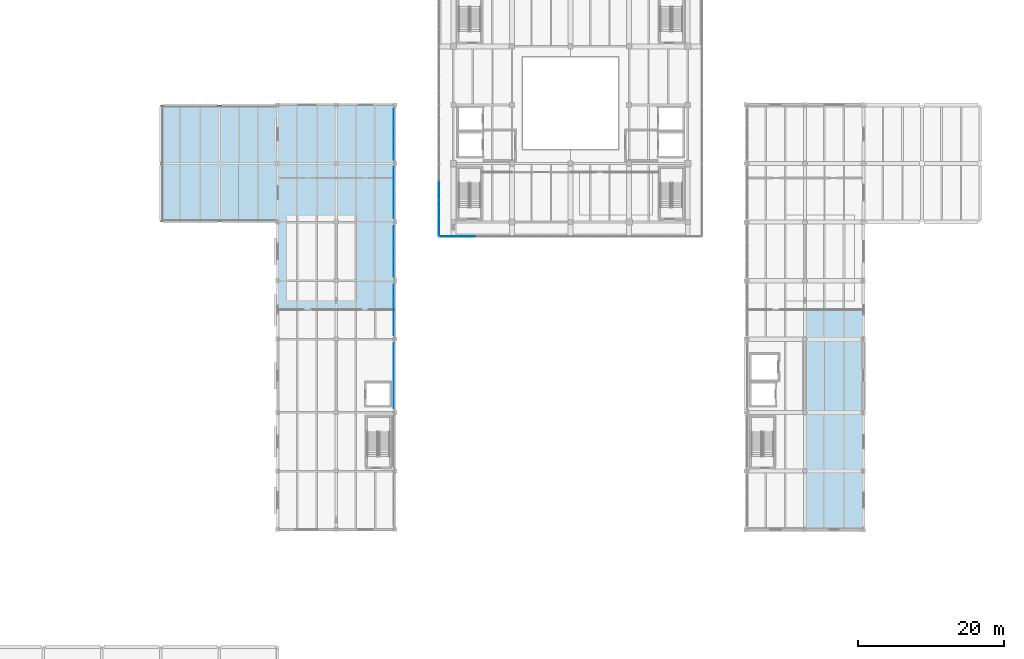
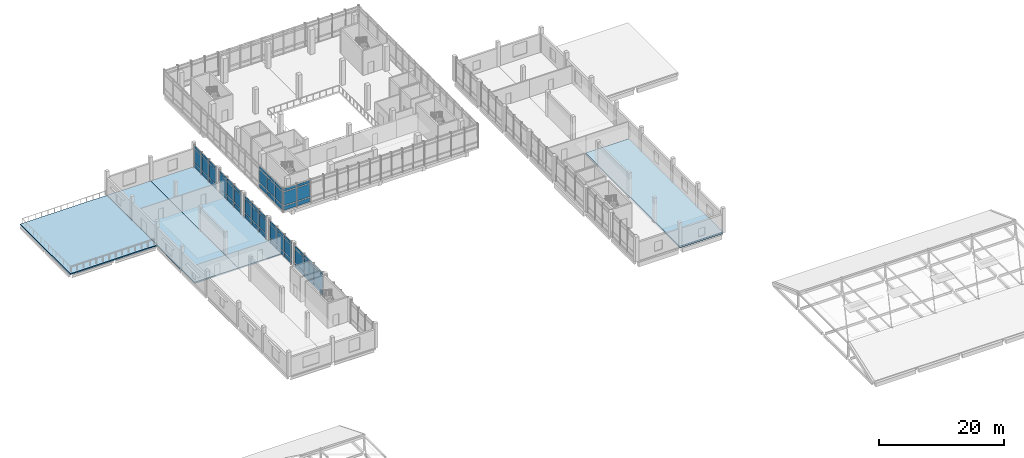
# One storey, part 26 of 47: 60 plates, 4 slabs, 7 elements without a shape of their own.
"""IFC4 building model written with IfcOpenShell, lengths in metres."""

from ifc_helpers import new_model, si_unit, direction, frame, origin, origin_2d, place, context, subcontext, project, spatial, polyline, rectangle, outline, extrude, material, layer, layer_set, type_object, element, aggregate, save


model = new_model("IFC4")

# Units and contexts
model_context = context("Model", 3, precision=1e-05, world=origin(), true_north=direction((0.0, 1.0)))
body_context = subcontext(model_context, "Body", "Model", "MODEL_VIEW")
ifc_project = project(units=[si_unit("LENGTHUNIT", "METRE"), si_unit("AREAUNIT", "SQUARE_METRE"), si_unit("VOLUMEUNIT", "CUBIC_METRE"), si_unit("PLANEANGLEUNIT", "RADIAN"), si_unit("MASSUNIT", "GRAM", prefix="KILO")], contexts=[model_context])

# Site, building, storey
site_placement = place(None, origin())
site = spatial("IfcSite", under=ifc_project, at=site_placement, CompositionType="ELEMENT")
building_placement = place(site_placement, origin())
building = spatial("IfcBuilding", under=site, at=building_placement, Name="Pecanmere Concourse Central Library", CompositionType="ELEMENT")
storey_placement = place(building_placement, frame((0.0, 0.0, 15.300048828125)))
storey = spatial("IfcBuildingStorey", under=building, at=storey_placement, Name="L04", CompositionType="ELEMENT", Elevation=15.300048828125)

# Curtain wall, plates
ifc_material_1 = material(Name="Anodized bronze aluminium alloy 6063-T6", Category="aluminium")
curtain_wall_type_1 = type_object("IfcCurtainWallType", Name="CW_PLUMB_BANDED", PredefinedType="USERDEFINED", material=ifc_material_1)
curtain_wall_1_placement = place(storey_placement, origin())
curtain_wall_1 = element("IfcCurtainWall", 1, at=curtain_wall_1_placement, inside=storey, type_object=curtain_wall_type_1, Name="Unitised Curtain Wall CW-02 L04-042", ObjectType="UNITISED CURTAIN WALL", PredefinedType="USERDEFINED")
ifc_material_2 = material(Name="White ceramic-fritted insulated spandrel glazing", Category="glass")
ifc_layer_1 = layer(ifc_material_2, 0.053955078125, Name="CWP_SPN_54")
ifc_layer_set_1 = layer_set([ifc_layer_1], Name="White ceramic-fritted insulated spandrel glazing")
plate_type_1 = type_object("IfcPlateType", Name="CWP_SPN_54", PredefinedType="CURTAIN_PANEL", material=ifc_layer_set_1)
plate_1_placement = place(storey_placement, frame((71.334228515625, 88.03857421875, 0.159912109375), z_axis=(0.0, 0.0, 1.0), x_axis=(1.0, 0.0, 0.0)))
plate_1 = element("IfcPlate", 2, at=plate_1_placement, type_object=plate_type_1, Name="CW-02 Spandrel Panel 1.1", PredefinedType="CURTAIN_PANEL", context=body_context, shape_type="SweptSolid", body=[
    extrude(rectangle(XDim=2.381591796875, YDim=0.035888671875, at=origin_2d()), origin(), (0.0, 0.0, 1.0), 0.81005859375),
])
plate_2_placement = place(storey_placement, frame((73.797119140625, 88.03857421875, 0.159912109375), z_axis=(0.0, 0.0, 1.0), x_axis=(1.0, 0.0, 0.0)))
plate_2 = element("IfcPlate", 3, at=plate_2_placement, type_object=plate_type_1, Name="CW-02 Spandrel Panel 2.1", PredefinedType="CURTAIN_PANEL", context=body_context, shape_type="SweptSolid", body=[
    extrude(rectangle(XDim=2.4140625, YDim=0.035888671875, at=origin_2d()), origin(), (0.0, 0.0, 1.0), 0.81005859375),
])

curtain_wall_2_placement = place(storey_placement, origin())
curtain_wall_2 = element("IfcCurtainWall", 4, at=curtain_wall_2_placement, inside=storey, type_object=curtain_wall_type_1, Name="Unitised Curtain Wall CW-02 L04-053", ObjectType="UNITISED CURTAIN WALL", PredefinedType="USERDEFINED")
plate_3_placement = place(storey_placement, frame((70.03857421875, 94.2763671875, 0.159912109375), z_axis=(0.0, 0.0, 1.0), x_axis=(0.0, -1.0, 0.0)))
plate_3 = element("IfcPlate", 5, at=plate_3_placement, type_object=plate_type_1, Name="CW-02 Spandrel Panel 2.1", PredefinedType="CURTAIN_PANEL", context=body_context, shape_type="SweptSolid", body=[
    extrude(rectangle(XDim=2.4140625, YDim=0.035888671875, at=origin_2d()), origin(), (0.0, 0.0, 1.0), 0.81005859375),
])
plate_4_placement = place(storey_placement, frame((70.03857421875, 91.797119140625, 0.159912109375), z_axis=(0.0, 0.0, 1.0), x_axis=(0.0, -1.0, 0.0)))
plate_4 = element("IfcPlate", 6, at=plate_4_placement, type_object=plate_type_1, Name="CW-02 Spandrel Panel 3.1", PredefinedType="CURTAIN_PANEL", context=body_context, shape_type="SweptSolid", body=[
    extrude(rectangle(XDim=2.4140625, YDim=0.035888671875, at=origin_2d()), origin(), (0.0, 0.0, 1.0), 0.81005859375),
])
plate_5_placement = place(storey_placement, frame((70.03857421875, 89.334228515625, 0.159912109375), z_axis=(0.0, 0.0, 1.0), x_axis=(0.0, -1.0, 0.0)))
plate_5 = element("IfcPlate", 7, at=plate_5_placement, type_object=plate_type_1, Name="CW-02 Spandrel Panel 4.1", PredefinedType="CURTAIN_PANEL", context=body_context, shape_type="SweptSolid", body=[
    extrude(rectangle(XDim=2.381591796875, YDim=0.035888671875, at=origin_2d()), origin(), (0.0, 0.0, 1.0), 0.81005859375),
])

ifc_material_3 = material(Name="Clear anodized aluminium alloy 6063-T6", Category="aluminium")
curtain_wall_type_2 = type_object("IfcCurtainWallType", Name="CW_CLOISTER_GLAZ", PredefinedType="USERDEFINED", material=ifc_material_3)
curtain_wall_3_placement = place(storey_placement, origin())
curtain_wall_3 = element("IfcCurtainWall", 8, at=curtain_wall_3_placement, inside=storey, type_object=curtain_wall_type_2, Name="Unitised Curtain Wall CW-04 L04-144", ObjectType="UNITISED CURTAIN WALL", PredefinedType="USERDEFINED")
plate_6_placement = place(storey_placement, frame((63.85009765625, 66.001708984375, 0.139892578125), z_axis=(0.0, 0.0, 1.0), x_axis=(0.0, 1.0, 0.0)))
plate_6 = element("IfcPlate", 9, at=plate_6_placement, type_object=plate_type_1, Name="CW-04 Spandrel Panel 1.1", PredefinedType="CURTAIN_PANEL", context=body_context, shape_type="SweptSolid", body=[
    extrude(rectangle(XDim=2.92333984375, YDim=0.035888671875, at=origin_2d()), origin(), (0.0, 0.0, 1.0), 0.7900390625),
])
plate_7_placement = place(storey_placement, frame((63.85009765625, 69.0, 0.139892578125), z_axis=(0.0, 0.0, 1.0), x_axis=(0.0, 1.0, 0.0)))
plate_7 = element("IfcPlate", 10, at=plate_7_placement, type_object=plate_type_1, Name="CW-04 Spandrel Panel 2.1", PredefinedType="CURTAIN_PANEL", context=body_context, shape_type="SweptSolid", body=[
    extrude(rectangle(XDim=2.953369140625, YDim=0.035888671875, at=origin_2d()), origin(), (0.0, 0.0, 1.0), 0.7900390625),
])
plate_8_placement = place(storey_placement, frame((63.85009765625, 71.998291015625, 0.139892578125), z_axis=(0.0, 0.0, 1.0), x_axis=(0.0, 1.0, 0.0)))
plate_8 = element("IfcPlate", 11, at=plate_8_placement, type_object=plate_type_1, Name="CW-04 Spandrel Panel 3.1", PredefinedType="CURTAIN_PANEL", context=body_context, shape_type="SweptSolid", body=[
    extrude(rectangle(XDim=2.92333984375, YDim=0.035888671875, at=origin_2d()), origin(), (0.0, 0.0, 1.0), 0.7900390625),
])

curtain_wall_4_placement = place(storey_placement, origin())
curtain_wall_4 = element("IfcCurtainWall", 12, at=curtain_wall_4_placement, inside=storey, type_object=curtain_wall_type_2, Name="Unitised Curtain Wall CW-04 L04-146", ObjectType="UNITISED CURTAIN WALL", PredefinedType="USERDEFINED")
plate_9_placement = place(storey_placement, frame((63.85009765625, 75.668212890625, 0.139892578125), z_axis=(0.0, 0.0, 1.0), x_axis=(0.0, 1.0, 0.0)))
plate_9 = element("IfcPlate", 13, at=plate_9_placement, type_object=plate_type_1, Name="CW-04 Spandrel Panel 1.1", PredefinedType="CURTAIN_PANEL", context=body_context, shape_type="SweptSolid", body=[
    extrude(rectangle(XDim=2.256591796875, YDim=0.035888671875, at=origin_2d()), origin(), (0.0, 0.0, 1.0), 0.7900390625),
])
plate_10_placement = place(storey_placement, frame((63.85009765625, 78.0, 0.139892578125), z_axis=(0.0, 0.0, 1.0), x_axis=(0.0, 1.0, 0.0)))
plate_10 = element("IfcPlate", 14, at=plate_10_placement, type_object=plate_type_1, Name="CW-04 Spandrel Panel 2.1", PredefinedType="CURTAIN_PANEL", context=body_context, shape_type="SweptSolid", body=[
    extrude(rectangle(XDim=2.28662109375, YDim=0.035888671875, at=origin_2d()), origin(), (0.0, 0.0, 1.0), 0.7900390625),
])
plate_11_placement = place(storey_placement, frame((63.85009765625, 80.331787109375, 0.139892578125), z_axis=(0.0, 0.0, 1.0), x_axis=(0.0, 1.0, 0.0)))
plate_11 = element("IfcPlate", 15, at=plate_11_placement, type_object=plate_type_1, Name="CW-04 Spandrel Panel 3.1", PredefinedType="CURTAIN_PANEL", context=body_context, shape_type="SweptSolid", body=[
    extrude(rectangle(XDim=2.256591796875, YDim=0.035888671875, at=origin_2d()), origin(), (0.0, 0.0, 1.0), 0.7900390625),
])

curtain_wall_5_placement = place(storey_placement, origin())
curtain_wall_5 = element("IfcCurtainWall", 16, at=curtain_wall_5_placement, inside=storey, type_object=curtain_wall_type_2, Name="Unitised Curtain Wall CW-04 L04-148", ObjectType="UNITISED CURTAIN WALL", PredefinedType="USERDEFINED")
plate_12_placement = place(storey_placement, frame((63.85009765625, 83.668212890625, 0.139892578125), z_axis=(0.0, 0.0, 1.0), x_axis=(0.0, 1.0, 0.0)))
plate_12 = element("IfcPlate", 17, at=plate_12_placement, type_object=plate_type_1, Name="CW-04 Spandrel Panel 1.1", PredefinedType="CURTAIN_PANEL", context=body_context, shape_type="SweptSolid", body=[
    extrude(rectangle(XDim=2.256591796875, YDim=0.035888671875, at=origin_2d()), origin(), (0.0, 0.0, 1.0), 0.7900390625),
])
plate_13_placement = place(storey_placement, frame((63.85009765625, 86.0, 0.139892578125), z_axis=(0.0, 0.0, 1.0), x_axis=(0.0, 1.0, 0.0)))
plate_13 = element("IfcPlate", 18, at=plate_13_placement, type_object=plate_type_1, Name="CW-04 Spandrel Panel 2.1", PredefinedType="CURTAIN_PANEL", context=body_context, shape_type="SweptSolid", body=[
    extrude(rectangle(XDim=2.28662109375, YDim=0.035888671875, at=origin_2d()), origin(), (0.0, 0.0, 1.0), 0.7900390625),
])
plate_14_placement = place(storey_placement, frame((63.85009765625, 88.331787109375, 0.139892578125), z_axis=(0.0, 0.0, 1.0), x_axis=(0.0, 1.0, 0.0)))
plate_14 = element("IfcPlate", 19, at=plate_14_placement, type_object=plate_type_1, Name="CW-04 Spandrel Panel 3.1", PredefinedType="CURTAIN_PANEL", context=body_context, shape_type="SweptSolid", body=[
    extrude(rectangle(XDim=2.256591796875, YDim=0.035888671875, at=origin_2d()), origin(), (0.0, 0.0, 1.0), 0.7900390625),
])

curtain_wall_6_placement = place(storey_placement, origin())
curtain_wall_6 = element("IfcCurtainWall", 20, at=curtain_wall_6_placement, inside=storey, type_object=curtain_wall_type_2, Name="Unitised Curtain Wall CW-04 L04-150", ObjectType="UNITISED CURTAIN WALL", PredefinedType="USERDEFINED")
plate_15_placement = place(storey_placement, frame((63.85009765625, 91.668212890625, 0.139892578125), z_axis=(0.0, 0.0, 1.0), x_axis=(0.0, 1.0, 0.0)))
plate_15 = element("IfcPlate", 21, at=plate_15_placement, type_object=plate_type_1, Name="CW-04 Spandrel Panel 1.1", PredefinedType="CURTAIN_PANEL", context=body_context, shape_type="SweptSolid", body=[
    extrude(rectangle(XDim=2.256591796875, YDim=0.035888671875, at=origin_2d()), origin(), (0.0, 0.0, 1.0), 0.7900390625),
])
plate_16_placement = place(storey_placement, frame((63.85009765625, 94.0, 0.139892578125), z_axis=(0.0, 0.0, 1.0), x_axis=(0.0, 1.0, 0.0)))
plate_16 = element("IfcPlate", 22, at=plate_16_placement, type_object=plate_type_1, Name="CW-04 Spandrel Panel 2.1", PredefinedType="CURTAIN_PANEL", context=body_context, shape_type="SweptSolid", body=[
    extrude(rectangle(XDim=2.28662109375, YDim=0.035888671875, at=origin_2d()), origin(), (0.0, 0.0, 1.0), 0.7900390625),
])
plate_17_placement = place(storey_placement, frame((63.85009765625, 96.331787109375, 0.139892578125), z_axis=(0.0, 0.0, 1.0), x_axis=(0.0, 1.0, 0.0)))
plate_17 = element("IfcPlate", 23, at=plate_17_placement, type_object=plate_type_1, Name="CW-04 Spandrel Panel 3.1", PredefinedType="CURTAIN_PANEL", context=body_context, shape_type="SweptSolid", body=[
    extrude(rectangle(XDim=2.256591796875, YDim=0.035888671875, at=origin_2d()), origin(), (0.0, 0.0, 1.0), 0.7900390625),
])

curtain_wall_7_placement = place(storey_placement, origin())
curtain_wall_7 = element("IfcCurtainWall", 24, at=curtain_wall_7_placement, inside=storey, type_object=curtain_wall_type_2, Name="Unitised Curtain Wall CW-04 L04-152", ObjectType="UNITISED CURTAIN WALL", PredefinedType="USERDEFINED")
plate_18_placement = place(storey_placement, frame((63.85009765625, 99.668212890625, 0.139892578125), z_axis=(0.0, 0.0, 1.0), x_axis=(0.0, 1.0, 0.0)))
plate_18 = element("IfcPlate", 25, at=plate_18_placement, type_object=plate_type_1, Name="CW-04 Spandrel Panel 1.1", PredefinedType="CURTAIN_PANEL", context=body_context, shape_type="SweptSolid", body=[
    extrude(rectangle(XDim=2.256591796875, YDim=0.035888671875, at=origin_2d()), origin(), (0.0, 0.0, 1.0), 0.7900390625),
])
plate_19_placement = place(storey_placement, frame((63.85009765625, 102.0, 0.139892578125), z_axis=(0.0, 0.0, 1.0), x_axis=(0.0, 1.0, 0.0)))
plate_19 = element("IfcPlate", 26, at=plate_19_placement, type_object=plate_type_1, Name="CW-04 Spandrel Panel 2.1", PredefinedType="CURTAIN_PANEL", context=body_context, shape_type="SweptSolid", body=[
    extrude(rectangle(XDim=2.28662109375, YDim=0.035888671875, at=origin_2d()), origin(), (0.0, 0.0, 1.0), 0.7900390625),
])
plate_20_placement = place(storey_placement, frame((63.85009765625, 104.331787109375, 0.139892578125), z_axis=(0.0, 0.0, 1.0), x_axis=(0.0, 1.0, 0.0)))
plate_20 = element("IfcPlate", 27, at=plate_20_placement, type_object=plate_type_1, Name="CW-04 Spandrel Panel 3.1", PredefinedType="CURTAIN_PANEL", context=body_context, shape_type="SweptSolid", body=[
    extrude(rectangle(XDim=2.256591796875, YDim=0.035888671875, at=origin_2d()), origin(), (0.0, 0.0, 1.0), 0.7900390625),
])

# Plate
ifc_material_4 = material(Name="Low-iron clear insulated glazing", Category="glass")
ifc_layer_2 = layer(ifc_material_4, 0.035888671875, Name="CWP_VIS_36")
ifc_layer_set_2 = layer_set([ifc_layer_2], Name="Low-iron clear insulated glazing")
plate_type_2 = type_object("IfcPlateType", Name="CWP_VIS_36", PredefinedType="CURTAIN_PANEL", material=ifc_layer_set_2)
plate_21_placement = place(storey_placement, frame((71.334228515625, 88.03857421875, 1.1298828125), z_axis=(0.0, 0.0, 1.0), x_axis=(1.0, 0.0, 0.0)))
plate_21 = element("IfcPlate", 28, at=plate_21_placement, type_object=plate_type_2, Name="CW-02 Vision Panel 1.2", PredefinedType="CURTAIN_PANEL", context=body_context, shape_type="SweptSolid", body=[
    extrude(rectangle(XDim=2.381591796875, YDim=0.035888671875, at=origin_2d()), origin(), (0.0, 0.0, 1.0), 2.56005859375),
])

plate_22_placement = place(storey_placement, frame((71.334228515625, 88.03857421875, 3.85009765625), z_axis=(0.0, 0.0, 1.0), x_axis=(1.0, 0.0, 0.0)))
plate_22 = element("IfcPlate", 29, at=plate_22_placement, type_object=plate_type_2, Name="CW-02 Vision Panel 1.3", PredefinedType="CURTAIN_PANEL", context=body_context, shape_type="SweptSolid", body=[
    extrude(rectangle(XDim=2.381591796875, YDim=0.035888671875, at=origin_2d()), origin(), (0.0, 0.0, 1.0), 0.510009765625),
])

plate_23_placement = place(storey_placement, frame((73.797119140625, 88.03857421875, 1.1298828125), z_axis=(0.0, 0.0, 1.0), x_axis=(1.0, 0.0, 0.0)))
plate_23 = element("IfcPlate", 30, at=plate_23_placement, type_object=plate_type_2, Name="CW-02 Vision Panel 2.2", PredefinedType="CURTAIN_PANEL", context=body_context, shape_type="SweptSolid", body=[
    extrude(rectangle(XDim=2.4140625, YDim=0.035888671875, at=origin_2d()), origin(), (0.0, 0.0, 1.0), 2.56005859375),
])

plate_24_placement = place(storey_placement, frame((73.797119140625, 88.03857421875, 3.85009765625), z_axis=(0.0, 0.0, 1.0), x_axis=(1.0, 0.0, 0.0)))
plate_24 = element("IfcPlate", 31, at=plate_24_placement, type_object=plate_type_2, Name="CW-02 Vision Panel 2.3", PredefinedType="CURTAIN_PANEL", context=body_context, shape_type="SweptSolid", body=[
    extrude(rectangle(XDim=2.4140625, YDim=0.035888671875, at=origin_2d()), origin(), (0.0, 0.0, 1.0), 0.510009765625),
])

aggregate(curtain_wall_1, [plate_1, plate_21, plate_22, plate_2, plate_23, plate_24])

plate_25_placement = place(storey_placement, frame((70.03857421875, 94.2763671875, 1.1298828125), z_axis=(0.0, 0.0, 1.0), x_axis=(0.0, -1.0, 0.0)))
plate_25 = element("IfcPlate", 32, at=plate_25_placement, type_object=plate_type_2, Name="CW-02 Vision Panel 2.2", PredefinedType="CURTAIN_PANEL", context=body_context, shape_type="SweptSolid", body=[
    extrude(rectangle(XDim=2.4140625, YDim=0.035888671875, at=origin_2d()), origin(), (0.0, 0.0, 1.0), 2.56005859375),
])

plate_26_placement = place(storey_placement, frame((70.03857421875, 94.2763671875, 3.85009765625), z_axis=(0.0, 0.0, 1.0), x_axis=(0.0, -1.0, 0.0)))
plate_26 = element("IfcPlate", 33, at=plate_26_placement, type_object=plate_type_2, Name="CW-02 Vision Panel 2.3", PredefinedType="CURTAIN_PANEL", context=body_context, shape_type="SweptSolid", body=[
    extrude(rectangle(XDim=2.4140625, YDim=0.035888671875, at=origin_2d()), origin(), (0.0, 0.0, 1.0), 0.510009765625),
])

plate_27_placement = place(storey_placement, frame((70.03857421875, 91.797119140625, 1.1298828125), z_axis=(0.0, 0.0, 1.0), x_axis=(0.0, -1.0, 0.0)))
plate_27 = element("IfcPlate", 34, at=plate_27_placement, type_object=plate_type_2, Name="CW-02 Vision Panel 3.2", PredefinedType="CURTAIN_PANEL", context=body_context, shape_type="SweptSolid", body=[
    extrude(rectangle(XDim=2.4140625, YDim=0.035888671875, at=origin_2d()), origin(), (0.0, 0.0, 1.0), 2.56005859375),
])

plate_28_placement = place(storey_placement, frame((70.03857421875, 91.797119140625, 3.85009765625), z_axis=(0.0, 0.0, 1.0), x_axis=(0.0, -1.0, 0.0)))
plate_28 = element("IfcPlate", 35, at=plate_28_placement, type_object=plate_type_2, Name="CW-02 Vision Panel 3.3", PredefinedType="CURTAIN_PANEL", context=body_context, shape_type="SweptSolid", body=[
    extrude(rectangle(XDim=2.4140625, YDim=0.035888671875, at=origin_2d()), origin(), (0.0, 0.0, 1.0), 0.510009765625),
])

plate_29_placement = place(storey_placement, frame((70.03857421875, 89.334228515625, 1.1298828125), z_axis=(0.0, 0.0, 1.0), x_axis=(0.0, -1.0, 0.0)))
plate_29 = element("IfcPlate", 36, at=plate_29_placement, type_object=plate_type_2, Name="CW-02 Vision Panel 4.2", PredefinedType="CURTAIN_PANEL", context=body_context, shape_type="SweptSolid", body=[
    extrude(rectangle(XDim=2.381591796875, YDim=0.035888671875, at=origin_2d()), origin(), (0.0, 0.0, 1.0), 2.56005859375),
])

plate_30_placement = place(storey_placement, frame((70.03857421875, 89.334228515625, 3.85009765625), z_axis=(0.0, 0.0, 1.0), x_axis=(0.0, -1.0, 0.0)))
plate_30 = element("IfcPlate", 37, at=plate_30_placement, type_object=plate_type_2, Name="CW-02 Vision Panel 4.3", PredefinedType="CURTAIN_PANEL", context=body_context, shape_type="SweptSolid", body=[
    extrude(rectangle(XDim=2.381591796875, YDim=0.035888671875, at=origin_2d()), origin(), (0.0, 0.0, 1.0), 0.510009765625),
])

aggregate(curtain_wall_2, [plate_3, plate_25, plate_26, plate_4, plate_27, plate_28, plate_5, plate_29, plate_30])

plate_31_placement = place(storey_placement, frame((63.85009765625, 66.001708984375, 1.06982421875), z_axis=(0.0, 0.0, 1.0), x_axis=(0.0, 1.0, 0.0)))
plate_31 = element("IfcPlate", 38, at=plate_31_placement, type_object=plate_type_2, Name="CW-04 Vision Panel 1.2", PredefinedType="CURTAIN_PANEL", context=body_context, shape_type="SweptSolid", body=[
    extrude(rectangle(XDim=2.92333984375, YDim=0.035888671875, at=origin_2d()), origin(), (0.0, 0.0, 1.0), 2.679931640625),
])

plate_32_placement = place(storey_placement, frame((63.85009765625, 66.001708984375, 3.89013671875), z_axis=(0.0, 0.0, 1.0), x_axis=(0.0, 1.0, 0.0)))
plate_32 = element("IfcPlate", 39, at=plate_32_placement, type_object=plate_type_2, Name="CW-04 Vision Panel 1.3", PredefinedType="CURTAIN_PANEL", context=body_context, shape_type="SweptSolid", body=[
    extrude(rectangle(XDim=2.92333984375, YDim=0.035888671875, at=origin_2d()), origin(), (0.0, 0.0, 1.0), 0.489990234375),
])

plate_33_placement = place(storey_placement, frame((63.85009765625, 69.0, 1.06982421875), z_axis=(0.0, 0.0, 1.0), x_axis=(0.0, 1.0, 0.0)))
plate_33 = element("IfcPlate", 40, at=plate_33_placement, type_object=plate_type_2, Name="CW-04 Vision Panel 2.2", PredefinedType="CURTAIN_PANEL", context=body_context, shape_type="SweptSolid", body=[
    extrude(rectangle(XDim=2.953369140625, YDim=0.035888671875, at=origin_2d()), origin(), (0.0, 0.0, 1.0), 2.679931640625),
])

plate_34_placement = place(storey_placement, frame((63.85009765625, 69.0, 3.89013671875), z_axis=(0.0, 0.0, 1.0), x_axis=(0.0, 1.0, 0.0)))
plate_34 = element("IfcPlate", 41, at=plate_34_placement, type_object=plate_type_2, Name="CW-04 Vision Panel 2.3", PredefinedType="CURTAIN_PANEL", context=body_context, shape_type="SweptSolid", body=[
    extrude(rectangle(XDim=2.953369140625, YDim=0.035888671875, at=origin_2d()), origin(), (0.0, 0.0, 1.0), 0.489990234375),
])

plate_35_placement = place(storey_placement, frame((63.85009765625, 71.998291015625, 1.06982421875), z_axis=(0.0, 0.0, 1.0), x_axis=(0.0, 1.0, 0.0)))
plate_35 = element("IfcPlate", 42, at=plate_35_placement, type_object=plate_type_2, Name="CW-04 Vision Panel 3.2", PredefinedType="CURTAIN_PANEL", context=body_context, shape_type="SweptSolid", body=[
    extrude(rectangle(XDim=2.92333984375, YDim=0.035888671875, at=origin_2d()), origin(), (0.0, 0.0, 1.0), 2.679931640625),
])

plate_36_placement = place(storey_placement, frame((63.85009765625, 71.998291015625, 3.89013671875), z_axis=(0.0, 0.0, 1.0), x_axis=(0.0, 1.0, 0.0)))
plate_36 = element("IfcPlate", 43, at=plate_36_placement, type_object=plate_type_2, Name="CW-04 Vision Panel 3.3", PredefinedType="CURTAIN_PANEL", context=body_context, shape_type="SweptSolid", body=[
    extrude(rectangle(XDim=2.92333984375, YDim=0.035888671875, at=origin_2d()), origin(), (0.0, 0.0, 1.0), 0.489990234375),
])

aggregate(curtain_wall_3, [plate_6, plate_31, plate_32, plate_7, plate_33, plate_34, plate_8, plate_35, plate_36])

plate_37_placement = place(storey_placement, frame((63.85009765625, 75.668212890625, 1.06982421875), z_axis=(0.0, 0.0, 1.0), x_axis=(0.0, 1.0, 0.0)))
plate_37 = element("IfcPlate", 44, at=plate_37_placement, type_object=plate_type_2, Name="CW-04 Vision Panel 1.2", PredefinedType="CURTAIN_PANEL", context=body_context, shape_type="SweptSolid", body=[
    extrude(rectangle(XDim=2.256591796875, YDim=0.035888671875, at=origin_2d()), origin(), (0.0, 0.0, 1.0), 2.679931640625),
])

plate_38_placement = place(storey_placement, frame((63.85009765625, 75.668212890625, 3.89013671875), z_axis=(0.0, 0.0, 1.0), x_axis=(0.0, 1.0, 0.0)))
plate_38 = element("IfcPlate", 45, at=plate_38_placement, type_object=plate_type_2, Name="CW-04 Vision Panel 1.3", PredefinedType="CURTAIN_PANEL", context=body_context, shape_type="SweptSolid", body=[
    extrude(rectangle(XDim=2.256591796875, YDim=0.035888671875, at=origin_2d()), origin(), (0.0, 0.0, 1.0), 0.489990234375),
])

plate_39_placement = place(storey_placement, frame((63.85009765625, 78.0, 1.06982421875), z_axis=(0.0, 0.0, 1.0), x_axis=(0.0, 1.0, 0.0)))
plate_39 = element("IfcPlate", 46, at=plate_39_placement, type_object=plate_type_2, Name="CW-04 Vision Panel 2.2", PredefinedType="CURTAIN_PANEL", context=body_context, shape_type="SweptSolid", body=[
    extrude(rectangle(XDim=2.28662109375, YDim=0.035888671875, at=origin_2d()), origin(), (0.0, 0.0, 1.0), 2.679931640625),
])

plate_40_placement = place(storey_placement, frame((63.85009765625, 78.0, 3.89013671875), z_axis=(0.0, 0.0, 1.0), x_axis=(0.0, 1.0, 0.0)))
plate_40 = element("IfcPlate", 47, at=plate_40_placement, type_object=plate_type_2, Name="CW-04 Vision Panel 2.3", PredefinedType="CURTAIN_PANEL", context=body_context, shape_type="SweptSolid", body=[
    extrude(rectangle(XDim=2.28662109375, YDim=0.035888671875, at=origin_2d()), origin(), (0.0, 0.0, 1.0), 0.489990234375),
])

plate_41_placement = place(storey_placement, frame((63.85009765625, 80.331787109375, 1.06982421875), z_axis=(0.0, 0.0, 1.0), x_axis=(0.0, 1.0, 0.0)))
plate_41 = element("IfcPlate", 48, at=plate_41_placement, type_object=plate_type_2, Name="CW-04 Vision Panel 3.2", PredefinedType="CURTAIN_PANEL", context=body_context, shape_type="SweptSolid", body=[
    extrude(rectangle(XDim=2.256591796875, YDim=0.035888671875, at=origin_2d()), origin(), (0.0, 0.0, 1.0), 2.679931640625),
])

plate_42_placement = place(storey_placement, frame((63.85009765625, 80.331787109375, 3.89013671875), z_axis=(0.0, 0.0, 1.0), x_axis=(0.0, 1.0, 0.0)))
plate_42 = element("IfcPlate", 49, at=plate_42_placement, type_object=plate_type_2, Name="CW-04 Vision Panel 3.3", PredefinedType="CURTAIN_PANEL", context=body_context, shape_type="SweptSolid", body=[
    extrude(rectangle(XDim=2.256591796875, YDim=0.035888671875, at=origin_2d()), origin(), (0.0, 0.0, 1.0), 0.489990234375),
])

aggregate(curtain_wall_4, [plate_9, plate_37, plate_38, plate_10, plate_39, plate_40, plate_11, plate_41, plate_42])

plate_43_placement = place(storey_placement, frame((63.85009765625, 83.668212890625, 1.06982421875), z_axis=(0.0, 0.0, 1.0), x_axis=(0.0, 1.0, 0.0)))
plate_43 = element("IfcPlate", 50, at=plate_43_placement, type_object=plate_type_2, Name="CW-04 Vision Panel 1.2", PredefinedType="CURTAIN_PANEL", context=body_context, shape_type="SweptSolid", body=[
    extrude(rectangle(XDim=2.256591796875, YDim=0.035888671875, at=origin_2d()), origin(), (0.0, 0.0, 1.0), 2.679931640625),
])

plate_44_placement = place(storey_placement, frame((63.85009765625, 83.668212890625, 3.89013671875), z_axis=(0.0, 0.0, 1.0), x_axis=(0.0, 1.0, 0.0)))
plate_44 = element("IfcPlate", 51, at=plate_44_placement, type_object=plate_type_2, Name="CW-04 Vision Panel 1.3", PredefinedType="CURTAIN_PANEL", context=body_context, shape_type="SweptSolid", body=[
    extrude(rectangle(XDim=2.256591796875, YDim=0.035888671875, at=origin_2d()), origin(), (0.0, 0.0, 1.0), 0.489990234375),
])

plate_45_placement = place(storey_placement, frame((63.85009765625, 86.0, 1.06982421875), z_axis=(0.0, 0.0, 1.0), x_axis=(0.0, 1.0, 0.0)))
plate_45 = element("IfcPlate", 52, at=plate_45_placement, type_object=plate_type_2, Name="CW-04 Vision Panel 2.2", PredefinedType="CURTAIN_PANEL", context=body_context, shape_type="SweptSolid", body=[
    extrude(rectangle(XDim=2.28662109375, YDim=0.035888671875, at=origin_2d()), origin(), (0.0, 0.0, 1.0), 2.679931640625),
])

plate_46_placement = place(storey_placement, frame((63.85009765625, 86.0, 3.89013671875), z_axis=(0.0, 0.0, 1.0), x_axis=(0.0, 1.0, 0.0)))
plate_46 = element("IfcPlate", 53, at=plate_46_placement, type_object=plate_type_2, Name="CW-04 Vision Panel 2.3", PredefinedType="CURTAIN_PANEL", context=body_context, shape_type="SweptSolid", body=[
    extrude(rectangle(XDim=2.28662109375, YDim=0.035888671875, at=origin_2d()), origin(), (0.0, 0.0, 1.0), 0.489990234375),
])

plate_47_placement = place(storey_placement, frame((63.85009765625, 88.331787109375, 1.06982421875), z_axis=(0.0, 0.0, 1.0), x_axis=(0.0, 1.0, 0.0)))
plate_47 = element("IfcPlate", 54, at=plate_47_placement, type_object=plate_type_2, Name="CW-04 Vision Panel 3.2", PredefinedType="CURTAIN_PANEL", context=body_context, shape_type="SweptSolid", body=[
    extrude(rectangle(XDim=2.256591796875, YDim=0.035888671875, at=origin_2d()), origin(), (0.0, 0.0, 1.0), 2.679931640625),
])

plate_48_placement = place(storey_placement, frame((63.85009765625, 88.331787109375, 3.89013671875), z_axis=(0.0, 0.0, 1.0), x_axis=(0.0, 1.0, 0.0)))
plate_48 = element("IfcPlate", 55, at=plate_48_placement, type_object=plate_type_2, Name="CW-04 Vision Panel 3.3", PredefinedType="CURTAIN_PANEL", context=body_context, shape_type="SweptSolid", body=[
    extrude(rectangle(XDim=2.256591796875, YDim=0.035888671875, at=origin_2d()), origin(), (0.0, 0.0, 1.0), 0.489990234375),
])

aggregate(curtain_wall_5, [plate_12, plate_43, plate_44, plate_13, plate_45, plate_46, plate_14, plate_47, plate_48])

plate_49_placement = place(storey_placement, frame((63.85009765625, 91.668212890625, 1.06982421875), z_axis=(0.0, 0.0, 1.0), x_axis=(0.0, 1.0, 0.0)))
plate_49 = element("IfcPlate", 56, at=plate_49_placement, type_object=plate_type_2, Name="CW-04 Vision Panel 1.2", PredefinedType="CURTAIN_PANEL", context=body_context, shape_type="SweptSolid", body=[
    extrude(rectangle(XDim=2.256591796875, YDim=0.035888671875, at=origin_2d()), origin(), (0.0, 0.0, 1.0), 2.679931640625),
])

plate_50_placement = place(storey_placement, frame((63.85009765625, 91.668212890625, 3.89013671875), z_axis=(0.0, 0.0, 1.0), x_axis=(0.0, 1.0, 0.0)))
plate_50 = element("IfcPlate", 57, at=plate_50_placement, type_object=plate_type_2, Name="CW-04 Vision Panel 1.3", PredefinedType="CURTAIN_PANEL", context=body_context, shape_type="SweptSolid", body=[
    extrude(rectangle(XDim=2.256591796875, YDim=0.035888671875, at=origin_2d()), origin(), (0.0, 0.0, 1.0), 0.489990234375),
])

plate_51_placement = place(storey_placement, frame((63.85009765625, 94.0, 1.06982421875), z_axis=(0.0, 0.0, 1.0), x_axis=(0.0, 1.0, 0.0)))
plate_51 = element("IfcPlate", 58, at=plate_51_placement, type_object=plate_type_2, Name="CW-04 Vision Panel 2.2", PredefinedType="CURTAIN_PANEL", context=body_context, shape_type="SweptSolid", body=[
    extrude(rectangle(XDim=2.28662109375, YDim=0.035888671875, at=origin_2d()), origin(), (0.0, 0.0, 1.0), 2.679931640625),
])

plate_52_placement = place(storey_placement, frame((63.85009765625, 94.0, 3.89013671875), z_axis=(0.0, 0.0, 1.0), x_axis=(0.0, 1.0, 0.0)))
plate_52 = element("IfcPlate", 59, at=plate_52_placement, type_object=plate_type_2, Name="CW-04 Vision Panel 2.3", PredefinedType="CURTAIN_PANEL", context=body_context, shape_type="SweptSolid", body=[
    extrude(rectangle(XDim=2.28662109375, YDim=0.035888671875, at=origin_2d()), origin(), (0.0, 0.0, 1.0), 0.489990234375),
])

plate_53_placement = place(storey_placement, frame((63.85009765625, 96.331787109375, 1.06982421875), z_axis=(0.0, 0.0, 1.0), x_axis=(0.0, 1.0, 0.0)))
plate_53 = element("IfcPlate", 60, at=plate_53_placement, type_object=plate_type_2, Name="CW-04 Vision Panel 3.2", PredefinedType="CURTAIN_PANEL", context=body_context, shape_type="SweptSolid", body=[
    extrude(rectangle(XDim=2.256591796875, YDim=0.035888671875, at=origin_2d()), origin(), (0.0, 0.0, 1.0), 2.679931640625),
])

plate_54_placement = place(storey_placement, frame((63.85009765625, 96.331787109375, 3.89013671875), z_axis=(0.0, 0.0, 1.0), x_axis=(0.0, 1.0, 0.0)))
plate_54 = element("IfcPlate", 61, at=plate_54_placement, type_object=plate_type_2, Name="CW-04 Vision Panel 3.3", PredefinedType="CURTAIN_PANEL", context=body_context, shape_type="SweptSolid", body=[
    extrude(rectangle(XDim=2.256591796875, YDim=0.035888671875, at=origin_2d()), origin(), (0.0, 0.0, 1.0), 0.489990234375),
])

aggregate(curtain_wall_6, [plate_15, plate_49, plate_50, plate_16, plate_51, plate_52, plate_17, plate_53, plate_54])

plate_55_placement = place(storey_placement, frame((63.85009765625, 99.668212890625, 1.06982421875), z_axis=(0.0, 0.0, 1.0), x_axis=(0.0, 1.0, 0.0)))
plate_55 = element("IfcPlate", 62, at=plate_55_placement, type_object=plate_type_2, Name="CW-04 Vision Panel 1.2", PredefinedType="CURTAIN_PANEL", context=body_context, shape_type="SweptSolid", body=[
    extrude(rectangle(XDim=2.256591796875, YDim=0.035888671875, at=origin_2d()), origin(), (0.0, 0.0, 1.0), 2.679931640625),
])

plate_56_placement = place(storey_placement, frame((63.85009765625, 99.668212890625, 3.89013671875), z_axis=(0.0, 0.0, 1.0), x_axis=(0.0, 1.0, 0.0)))
plate_56 = element("IfcPlate", 63, at=plate_56_placement, type_object=plate_type_2, Name="CW-04 Vision Panel 1.3", PredefinedType="CURTAIN_PANEL", context=body_context, shape_type="SweptSolid", body=[
    extrude(rectangle(XDim=2.256591796875, YDim=0.035888671875, at=origin_2d()), origin(), (0.0, 0.0, 1.0), 0.489990234375),
])

plate_57_placement = place(storey_placement, frame((63.85009765625, 102.0, 1.06982421875), z_axis=(0.0, 0.0, 1.0), x_axis=(0.0, 1.0, 0.0)))
plate_57 = element("IfcPlate", 64, at=plate_57_placement, type_object=plate_type_2, Name="CW-04 Vision Panel 2.2", PredefinedType="CURTAIN_PANEL", context=body_context, shape_type="SweptSolid", body=[
    extrude(rectangle(XDim=2.28662109375, YDim=0.035888671875, at=origin_2d()), origin(), (0.0, 0.0, 1.0), 2.679931640625),
])

plate_58_placement = place(storey_placement, frame((63.85009765625, 102.0, 3.89013671875), z_axis=(0.0, 0.0, 1.0), x_axis=(0.0, 1.0, 0.0)))
plate_58 = element("IfcPlate", 65, at=plate_58_placement, type_object=plate_type_2, Name="CW-04 Vision Panel 2.3", PredefinedType="CURTAIN_PANEL", context=body_context, shape_type="SweptSolid", body=[
    extrude(rectangle(XDim=2.28662109375, YDim=0.035888671875, at=origin_2d()), origin(), (0.0, 0.0, 1.0), 0.489990234375),
])

plate_59_placement = place(storey_placement, frame((63.85009765625, 104.331787109375, 1.06982421875), z_axis=(0.0, 0.0, 1.0), x_axis=(0.0, 1.0, 0.0)))
plate_59 = element("IfcPlate", 66, at=plate_59_placement, type_object=plate_type_2, Name="CW-04 Vision Panel 3.2", PredefinedType="CURTAIN_PANEL", context=body_context, shape_type="SweptSolid", body=[
    extrude(rectangle(XDim=2.256591796875, YDim=0.035888671875, at=origin_2d()), origin(), (0.0, 0.0, 1.0), 2.679931640625),
])

plate_60_placement = place(storey_placement, frame((63.85009765625, 104.331787109375, 3.89013671875), z_axis=(0.0, 0.0, 1.0), x_axis=(0.0, 1.0, 0.0)))
plate_60 = element("IfcPlate", 67, at=plate_60_placement, type_object=plate_type_2, Name="CW-04 Vision Panel 3.3", PredefinedType="CURTAIN_PANEL", context=body_context, shape_type="SweptSolid", body=[
    extrude(rectangle(XDim=2.256591796875, YDim=0.035888671875, at=origin_2d()), origin(), (0.0, 0.0, 1.0), 0.489990234375),
])

aggregate(curtain_wall_7, [plate_18, plate_55, plate_56, plate_19, plate_57, plate_58, plate_20, plate_59, plate_60])

# Slabs
ifc_material_5 = material(Name="Concrete C35/45", Category="concrete")
ifc_layer_3 = layer(ifc_material_5, 0.264892578125, Name="SLAB_READ_265")
ifc_layer_set_3 = layer_set([ifc_layer_3], Name="Concrete C35/45")
slab_type_1 = type_object("IfcSlabType", Name="SLAB_READ_265", PredefinedType="FLOOR", material=ifc_layer_set_3)
slab_1_placement = place(storey_placement, frame((0.0, 0.0, -0.26513671875)))
element("IfcSlab", 68, at=slab_1_placement, inside=storey, type_object=slab_type_1, Name="Floor Slab V3 L04-129", PredefinedType="FLOOR", context=body_context, shape_type="SweptSolid", body=[
    extrude(outline(polyline([(48.0, 78.0), (48.0, 106.0), (56.0, 106.0), (56.0, 79.60009765625), (55.919921875, 79.60009765625), (55.919921875, 79.0), (56.0, 79.0), (56.0, 78.0), (48.0, 78.0)])), origin(), (0.0, 0.0, 1.0), 0.26513671875),
])
slab_2_placement = place(storey_placement, frame((0.0, 0.0, -0.26513671875)))
element("IfcSlab", 69, at=slab_2_placement, inside=storey, type_object=slab_type_1, Name="Floor Slab V3 L04-131", PredefinedType="FLOOR", context=body_context, shape_type="SweptSolid", body=[
    extrude(outline(polyline([(56.0, 106.0), (64.0, 106.0), (64.0, 79.60009765625), (63.919921875, 79.60009765625), (63.919921875, 79.0), (64.0, 79.0), (64.0, 78.0), (56.0, 78.0), (56.0, 106.0)])), origin(), (0.0, 0.0, 1.0), 0.26513671875),
])
ifc_material_6 = material(Name="Concrete C35/45", Category="concrete")
ifc_layer_4 = layer(ifc_material_6, 0.320068359375, Name="SLAB_STACK_320")
ifc_layer_set_4 = layer_set([ifc_layer_4], Name="Concrete C35/45")
slab_type_2 = type_object("IfcSlabType", Name="SLAB_STACK_320", PredefinedType="FLOOR", material=ifc_layer_set_4)
slab_3_placement = place(storey_placement, frame((0.0, 0.0, -0.320068359375)))
element("IfcSlab", 70, at=slab_3_placement, inside=storey, type_object=slab_type_2, Name="Floor Slab V2 L04-126", PredefinedType="FLOOR", context=body_context, shape_type="SweptSolid", body=[
    extrude(outline(polyline([(120.0, 78.0), (128.0, 78.0), (128.0, 49.60009765625), (127.919921875, 49.60009765625), (127.919921875, 49.0), (128.0, 49.0), (128.0, 48.0), (120.0, 48.0), (120.0, 78.0)])), origin(), (0.0, 0.0, 1.0), 0.320068359375),
])
ifc_material_7 = material(Name="Concrete C35/45", Category="concrete")
ifc_layer_5 = layer(ifc_material_7, 0.22509765625, Name="SLAB_TERR_225")
ifc_layer_set_5 = layer_set([ifc_layer_5], Name="Concrete C35/45")
slab_type_3 = type_object("IfcSlabType", Name="SLAB_TERR_225", PredefinedType="FLOOR", material=ifc_layer_set_5)
slab_4_placement = place(storey_placement, frame((0.0, 0.0, -0.22509765625)))
element("IfcSlab", 71, at=slab_4_placement, inside=storey, type_object=slab_type_3, Name="West Cloister Reading Terrace", PredefinedType="FLOOR", context=body_context, shape_type="SweptSolid", body=[
    extrude(outline(polyline([(47.9951171875, 90.0048828125), (32.0048828125, 90.0048828125), (32.0048828125, 105.9951171875), (47.9951171875, 105.9951171875), (47.9951171875, 90.0048828125)])), origin(), (0.0, 0.0, 1.0), 0.22509765625),
])

save(model, "model.ifc")
